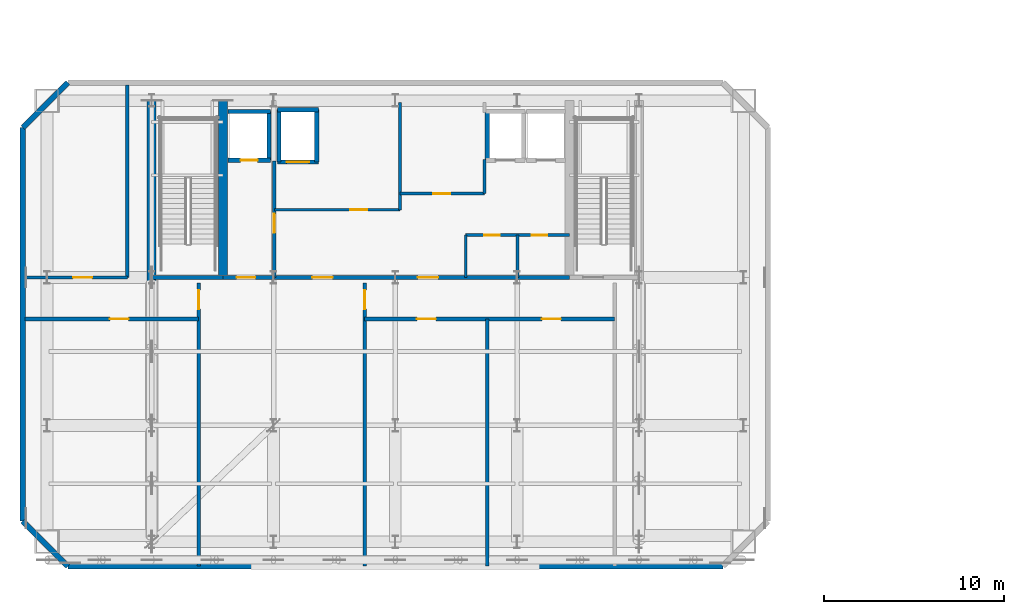
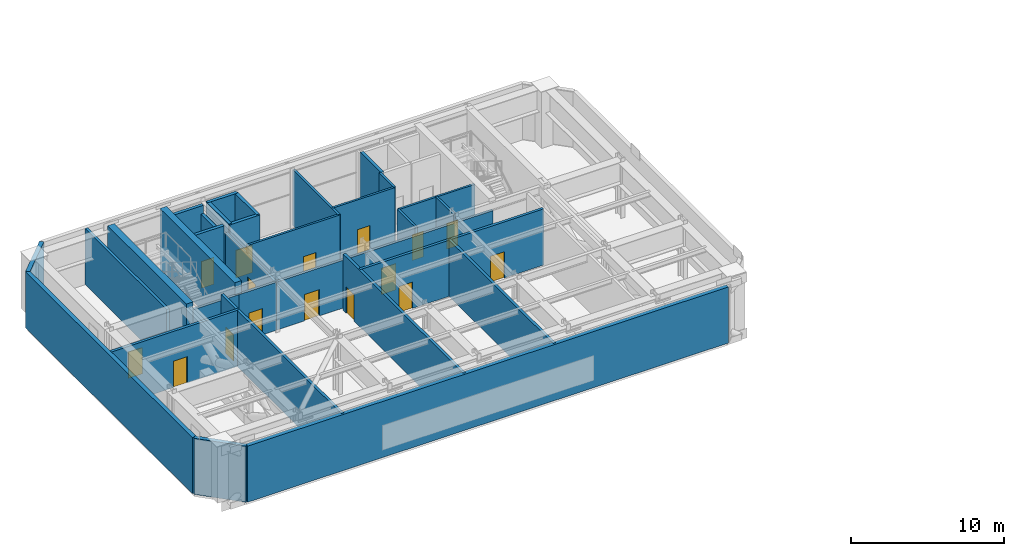
# One storey, part 8 of 15: 32 walls, 16 doors, 16 openings.
"""IFC4 building model written with IfcOpenShell, lengths in metres."""

import ifcopenshell
import ifcopenshell.guid

model = None  # the IFC model being written
_history = None  # IfcOwnerHistory: only IFC2X3 demands one
_inside = {}  # id of a spatial element -> (the spatial element, [elements in it])
_under = {}  # id of a project, library or spatial element -> (it, [spatial elements below it])
_declared = {}  # id of a project -> (the project, [libraries it declares])
_typed = {}  # id of a type object -> (the type object, [elements of that type])
_made_of = {}  # id of a material, layer set ... -> (it, [elements and type objects made of it])


def new_model(schema):
    """Start an empty IFC model of exactly this schema.

    Asked for "IFC4X3", IfcOpenShell would pick the latest addendum, in which some entities
    have other attributes; the version numbers below select the first issue.
    IFC2X3 requires an IfcOwnerHistory on every rooted entity: one is made here for all.
    """
    global model, _history
    if schema == "IFC4X3":
        model = ifcopenshell.file(schema_version=(4, 3, 0, 0))
    else:
        model = ifcopenshell.file(schema=schema)
    _inside.clear()
    _under.clear()
    _declared.clear()
    _typed.clear()
    _made_of.clear()
    _history = None
    if model.schema == "IFC2X3":
        org = make("IfcOrganization", Name="unknown")
        user = make(
            "IfcPersonAndOrganization",
            ThePerson=make("IfcPerson", FamilyName="unknown"),
            TheOrganization=org,
        )
        app = make(
            "IfcApplication",
            ApplicationDeveloper=org,
            Version="unknown",
            ApplicationFullName="unknown",
            ApplicationIdentifier="unknown",
        )
        _history = make(
            "IfcOwnerHistory",
            OwningUser=user,
            OwningApplication=app,
            ChangeAction="ADDED",
            CreationDate=0,
        )
    return model


def make(cls, **values):
    """One entity of the class cls with the attributes given. An attribute that is None is left unset."""
    return model.create_entity(
        cls, **{name: value for name, value in values.items() if value is not None}
    )


def rooted(cls, **values):
    """An entity with a GlobalId (a new one), such as an element, a storey or a relation."""
    return make(cls, GlobalId=ifcopenshell.guid.new(), OwnerHistory=_history, **values)


def si_unit(unit_type, name, prefix=None):
    """IfcSIUnit, for example si_unit("LENGTHUNIT", "METRE", prefix="MILLI")."""
    return make("IfcSIUnit", UnitType=unit_type, Prefix=prefix, Name=name)


def assignment(units):
    """IfcUnitAssignment: the units of a project."""
    return None if units is None else make("IfcUnitAssignment", Units=units)


def point(xyz):
    """IfcCartesianPoint."""
    return None if xyz is None else make("IfcCartesianPoint", Coordinates=xyz)


def direction(xyz):
    """IfcDirection."""
    return None if xyz is None else make("IfcDirection", DirectionRatios=xyz)


def frame(location, z_axis=None, x_axis=None):
    """IfcAxis2Placement3D, a coordinate frame: its origin and axes. An axis left out is left unset."""
    return make(
        "IfcAxis2Placement3D",
        Location=point(location),
        Axis=direction(z_axis),
        RefDirection=direction(x_axis),
    )


def frame_2d(location, x_axis=None):
    """IfcAxis2Placement2D, a coordinate frame in the plane: its origin and x axis."""
    return make(
        "IfcAxis2Placement2D", Location=point(location), RefDirection=direction(x_axis)
    )


def origin():
    """The frame at (0, 0, 0) with its axes left unset."""
    return frame((0.0, 0.0, 0.0))


def place(relative_to, where):
    """IfcLocalPlacement: puts the frame where relative to a parent placement (None: the world)."""
    return make(
        "IfcLocalPlacement", PlacementRelTo=relative_to, RelativePlacement=where
    )


def context(
    kind, dimensions, precision=None, world=None, true_north=None, identifier=None
):
    """IfcGeometricRepresentationContext, for example the 3D "Model" context."""
    return make(
        "IfcGeometricRepresentationContext",
        ContextIdentifier=identifier,
        ContextType=kind,
        CoordinateSpaceDimension=dimensions,
        Precision=precision,
        WorldCoordinateSystem=world,
        TrueNorth=true_north,
    )


def subcontext(parent, identifier, kind, view, scale=None):
    """IfcGeometricRepresentationSubContext, for example "Body" below "Model"."""
    return make(
        "IfcGeometricRepresentationSubContext",
        ContextIdentifier=identifier,
        ContextType=kind,
        ParentContext=parent,
        TargetScale=scale,
        TargetView=view,
    )


def project(units=None, contexts=None):
    """IfcProject with its units and contexts."""
    return rooted(
        "IfcProject",
        Name="project",
        RepresentationContexts=contexts,
        UnitsInContext=assignment(units),
    )


def spatial(cls, under=None, at=None, **own):
    """A site, building, storey or space (cls), placed at a placement, below another one or the project."""
    s = rooted(cls, ObjectPlacement=at, **own)
    if under is not None:
        _under.setdefault(under.id(), (under, []))[1].append(s)
    return s


def profile(cls, at=None, kind="AREA", **sizes):
    """A parametric profile (cls). Its sizes go by their IFC names, for example OverallWidth=200.0."""
    return make(cls, ProfileType=kind, Position=at, **sizes)


def rectangle(**sizes):
    """IfcRectangleProfileDef."""
    return profile("IfcRectangleProfileDef", **sizes)


def extrude(swept, where, along, depth):
    """IfcExtrudedAreaSolid: the profile swept, set in the frame where, extruded along a direction by depth."""
    return make(
        "IfcExtrudedAreaSolid",
        SweptArea=swept,
        Position=where,
        ExtrudedDirection=direction(along),
        Depth=depth,
    )


def shape(context_of_items, identifier, shape_type, items):
    """IfcShapeRepresentation: the items that make up one representation, for example the "Body"."""
    return make(
        "IfcShapeRepresentation",
        ContextOfItems=context_of_items,
        RepresentationIdentifier=identifier,
        RepresentationType=shape_type,
        Items=items,
    )


def material(Name=None, Category=None):
    """IfcMaterial."""
    return make("IfcMaterial", Name=Name, Category=Category)


def layer(
    of_material, thickness, ventilated=None, Name=None, Category=None, Priority=None
):
    """IfcMaterialLayer: one layer of a wall or slab, of a material (None: an air gap)."""
    return make(
        "IfcMaterialLayer",
        Material=of_material,
        LayerThickness=thickness,
        IsVentilated=ventilated,
        Name=Name,
        Category=Category,
        Priority=Priority,
    )


def layer_set(layers, Name=None):
    """IfcMaterialLayerSet."""
    return make("IfcMaterialLayerSet", MaterialLayers=layers, LayerSetName=Name)


def made_of(thing, what):
    """Note that an element or type object is made of a material, layer set ...; save() writes the relation."""
    if what is not None:
        _made_of.setdefault(what.id(), (what, []))[1].append(thing)
    return thing


def type_object(cls, material=None, **own):
    """A type object (cls), such as IfcWallType, which elements share."""
    return made_of(rooted(cls, **own), material)


def element(
    cls,
    number,
    at=None,
    inside=None,
    cuts=None,
    type_object=None,
    material=None,
    context=None,
    identifier="Body",
    shape_type=None,
    held_by="IfcProductDefinitionShape",
    body=None,
    shapes=None,
    **own,
):
    """One element of the class cls, such as IfcWall. Its Tag is "e" and its number.

    at: its placement. inside: the storey or other place that contains it. cuts: it is an
    opening in that element (IfcRelVoidsElement). A single representation is given by context,
    identifier, shape_type and body (its items); several are given by shapes. held_by: the class
    of the entity that holds the representations. save() writes the other relations.
    """
    e = rooted(cls, Tag="e%d" % number, ObjectPlacement=at, **own)
    if body is not None:
        shapes = [shape(context, identifier, shape_type, body)]
    if shapes is not None:
        e.Representation = make(held_by, Representations=shapes)
    if inside is not None:
        _inside.setdefault(inside.id(), (inside, []))[1].append(e)
    if cuts is not None:
        rooted(
            "IfcRelVoidsElement", RelatingBuildingElement=cuts, RelatedOpeningElement=e
        )
    if type_object is not None:
        _typed.setdefault(type_object.id(), (type_object, []))[1].append(e)
    return made_of(e, material)


def fill(opening, filler):
    """IfcRelFillsElement: the door or window that sits in an opening."""
    return rooted(
        "IfcRelFillsElement",
        RelatingOpeningElement=opening,
        RelatedBuildingElement=filler,
    )


def aggregate(whole, parts):
    """IfcRelAggregates: a whole, such as a stair, and the parts it consists of."""
    return rooted("IfcRelAggregates", RelatingObject=whole, RelatedObjects=parts)


def save(model, path):
    """Write the relations noted so far, then the file.

    IfcRelAggregates (storeys below a building ...), IfcRelContainedInSpatialStructure (elements
    in a storey), IfcRelDefinesByType, IfcRelAssociatesMaterial and IfcRelDeclares: one each for
    every whole, place, type object, material and project.
    """
    for whole, parts in _under.values():
        aggregate(whole, parts)
    for where, things in _inside.values():
        rooted(
            "IfcRelContainedInSpatialStructure",
            RelatedElements=things,
            RelatingStructure=where,
        )
    for kind, things in _typed.values():
        rooted("IfcRelDefinesByType", RelatedObjects=things, RelatingType=kind)
    for what, things in _made_of.values():
        rooted("IfcRelAssociatesMaterial", RelatedObjects=things, RelatingMaterial=what)
    for by, libraries in _declared.values():
        rooted("IfcRelDeclares", RelatingContext=by, RelatedDefinitions=libraries)
    model.write(path)


model = new_model("IFC4")

# Units and contexts
model_context = context("Model", 3, precision=1e-05, world=origin(), true_north=direction((0.0, 1.0)))
body_context = subcontext(model_context, "Body", "Model", "MODEL_VIEW")
ifc_project = project(units=[si_unit("LENGTHUNIT", "METRE"), si_unit("AREAUNIT", "SQUARE_METRE"), si_unit("VOLUMEUNIT", "CUBIC_METRE"), si_unit("PLANEANGLEUNIT", "RADIAN"), si_unit("MASSUNIT", "GRAM", prefix="KILO")], contexts=[model_context])

# Site, building, storey
site_placement = place(None, origin())
site = spatial("IfcSite", under=ifc_project, at=site_placement, CompositionType="ELEMENT")
building_placement = place(site_placement, origin())
building = spatial("IfcBuilding", under=site, at=building_placement, Name="Haevon Station Towers", CompositionType="ELEMENT")
storey_placement = place(building_placement, frame((0.0, 0.0, 192.300048828125)))
storey = spatial("IfcBuildingStorey", under=building, at=storey_placement, Name="L53", CompositionType="ELEMENT", Elevation=192.300048828125)

# Wall
ifc_material_1 = material(Name="Gypsum board on steel stud", Category="steel")
ifc_layer_1 = layer(ifc_material_1, 0.199951171875)
ifc_layer_set_1 = layer_set([ifc_layer_1], Name="Gypsum board on steel stud")
wall_type_1 = type_object("IfcWallType", Name="WL-COR200", PredefinedType="PARTITIONING", material=ifc_layer_set_1)
wall_1_placement = place(storey_placement, frame((24.0, 38.199951171875, 0.0), z_axis=(0.0, 0.0, 1.0), x_axis=(1.0, 0.0, 0.0)))
element("IfcWall", 1, at=wall_1_placement, inside=storey, type_object=wall_type_1, Name="WL-ST-ST1-L53", PredefinedType="PARTITIONING", context=body_context, shape_type="SweptSolid", body=[
    extrude(rectangle(XDim=3.949951171875, YDim=0.199951171875, at=frame_2d((1.97509765625, 0.0))), origin(), (0.0, 0.0, 1.0), 3.829833984375),
])

# Wall, opening, door
wall_2_placement = place(storey_placement, frame((30.800048828125, 38.199951171875, 0.0), z_axis=(0.0, 0.0, 1.0), x_axis=(0.0, 1.0, 0.0)))
wall_2 = element("IfcWall", 2, at=wall_2_placement, inside=storey, type_object=wall_type_1, Name="WL-T1FFL-L53-E", PredefinedType="PARTITIONING", context=body_context, shape_type="SweptSolid", body=[
    extrude(rectangle(XDim=6.449951171875, YDim=0.199951171875, at=frame_2d((3.22509765625, 0.0))), origin(), (0.0, 0.0, 1.0), 3.829833984375),
])
opening_1_placement = place(wall_2_placement, frame((2.469970703125, 0.0, 0.0)))
opening_1 = element("IfcOpeningElement", 3, at=opening_1_placement, cuts=wall_2, Name="Opening DR-T1FFL-L53-E", PredefinedType="OPENING", context=body_context, shape_type="SweptSolid", body=[
    extrude(rectangle(XDim=1.050048828125, YDim=2.10009765625, at=frame_2d((0.52490234375, 1.050048828125))), frame((0.0, 0.10986328125, 0.0), z_axis=(0.0, -1.0, 0.0), x_axis=(1.0, 0.0, 0.0)), (0.0, 0.0, 1.0), 0.219970703125),
])
ifc_material_2 = material(Name="Engineered oak timber", Category="wood")
door_type_1 = type_object("IfcDoorType", Name="DR-FD60-1050", OperationType="NOTDEFINED", PredefinedType="DOOR", material=ifc_material_2)
door_1_placement = place(opening_1_placement, origin())
door_1 = element("IfcDoor", 4, at=door_1_placement, inside=storey, type_object=door_type_1, Name="L53 Tower 1 Firefighting Lift Lobby Door E", OperationType="SINGLE_SWING_RIGHT", OverallHeight=2.10009765625, OverallWidth=1.050048828125, PredefinedType="DOOR", context=body_context, shape_type="SweptSolid", body=[
    extrude(rectangle(XDim=1.050048828125, YDim=2.10009765625, at=frame_2d((0.52490234375, 1.050048828125))), frame((0.0, 0.02490234375, 0.0), z_axis=(0.0, -1.0, 0.0), x_axis=(1.0, 0.0, 0.0)), (0.0, 0.0, 1.0), 0.050048828125),
])
fill(opening_1, door_1)

wall_3_placement = place(storey_placement, frame((27.949951171875, 38.199951171875, 0.0), z_axis=(0.0, 0.0, 1.0), x_axis=(1.0, 0.0, 0.0)))
wall_3 = element("IfcWall", 5, at=wall_3_placement, inside=storey, type_object=wall_type_1, Name="WL-T1FFL-L53-S", PredefinedType="PARTITIONING", context=body_context, shape_type="SweptSolid", body=[
    extrude(rectangle(XDim=2.85009765625, YDim=0.199951171875, at=frame_2d((1.425048828125, 0.0))), origin(), (0.0, 0.0, 1.0), 3.829833984375),
])
opening_2_placement = place(wall_3_placement, frame((0.75, 0.0, 0.0)))
opening_2 = element("IfcOpeningElement", 6, at=opening_2_placement, cuts=wall_3, Name="Opening DR-T1FFL-L53-S", PredefinedType="OPENING", context=body_context, shape_type="SweptSolid", body=[
    extrude(rectangle(XDim=1.050048828125, YDim=2.10009765625, at=frame_2d((0.52490234375, 1.050048828125))), frame((0.0, 0.10986328125, 0.0), z_axis=(0.0, -1.0, 0.0), x_axis=(1.0, 0.0, 0.0)), (0.0, 0.0, 1.0), 0.219970703125),
])
door_2_placement = place(opening_2_placement, origin())
door_2 = element("IfcDoor", 7, at=door_2_placement, inside=storey, type_object=door_type_1, Name="L53 Tower 1 Firefighting Lift Lobby Door S", OperationType="SINGLE_SWING_LEFT", OverallHeight=2.10009765625, OverallWidth=1.050048828125, PredefinedType="DOOR", context=body_context, shape_type="SweptSolid", body=[
    extrude(rectangle(XDim=1.050048828125, YDim=2.10009765625, at=frame_2d((0.52490234375, 1.050048828125))), frame((0.0, 0.02490234375, 0.0), z_axis=(0.0, -1.0, 0.0), x_axis=(1.0, 0.0, 0.0)), (0.0, 0.0, 1.0), 0.050048828125),
])
fill(opening_2, door_2)

# Wall, openings, doors
wall_4_placement = place(storey_placement, frame((30.800048828125, 38.199951171875, 0.0), z_axis=(0.0, 0.0, 1.0), x_axis=(1.0, 0.0, 0.0)))
wall_4 = element("IfcWall", 8, at=wall_4_placement, inside=storey, type_object=wall_type_1, Name="WL-T1CLB-L53", PredefinedType="PARTITIONING", context=body_context, shape_type="SweptSolid", body=[
    extrude(rectangle(XDim=16.349853515625, YDim=0.199951171875, at=frame_2d((8.1748046875, 0.0))), origin(), (0.0, 0.0, 1.0), 3.829833984375),
])
opening_3_placement = place(wall_4_placement, frame((2.10009765625, 0.0, 0.0)))
opening_3 = element("IfcOpeningElement", 9, at=opening_3_placement, cuts=wall_4, Name="Opening DR-T1CLB-L53-1", PredefinedType="OPENING", context=body_context, shape_type="SweptSolid", body=[
    extrude(rectangle(XDim=1.1201171875, YDim=2.10009765625, at=frame_2d((0.56005859375, 1.050048828125))), frame((0.0, 0.10986328125, 0.0), z_axis=(0.0, -1.0, 0.0), x_axis=(1.0, 0.0, 0.0)), (0.0, 0.0, 1.0), 0.219970703125),
])
opening_4_placement = place(wall_4_placement, frame((7.949951171875, 0.0, 0.0)))
opening_4 = element("IfcOpeningElement", 10, at=opening_4_placement, cuts=wall_4, Name="Opening DR-T1CLB-L53-2", PredefinedType="OPENING", context=body_context, shape_type="SweptSolid", body=[
    extrude(rectangle(XDim=1.1201171875, YDim=2.10009765625, at=frame_2d((0.56005859375, 1.050048828125))), frame((0.0, 0.10986328125, 0.0), z_axis=(0.0, -1.0, 0.0), x_axis=(1.0, 0.0, 0.0)), (0.0, 0.0, 1.0), 0.219970703125),
])
door_type_2 = type_object("IfcDoorType", Name="DR-ST-1120", OperationType="NOTDEFINED", PredefinedType="DOOR", material=ifc_material_2)
door_3_placement = place(opening_3_placement, origin())
door_3 = element("IfcDoor", 11, at=door_3_placement, inside=storey, type_object=door_type_2, Name="L53 Tower 1 Core Lift Lobby Door 1", OperationType="SINGLE_SWING_RIGHT", OverallHeight=2.10009765625, OverallWidth=1.1201171875, PredefinedType="DOOR", context=body_context, shape_type="SweptSolid", body=[
    extrude(rectangle(XDim=1.1201171875, YDim=2.10009765625, at=frame_2d((0.56005859375, 1.050048828125))), frame((0.0, 0.02490234375, 0.0), z_axis=(0.0, -1.0, 0.0), x_axis=(1.0, 0.0, 0.0)), (0.0, 0.0, 1.0), 0.050048828125),
])
fill(opening_3, door_3)
door_4_placement = place(opening_4_placement, origin())
door_4 = element("IfcDoor", 12, at=door_4_placement, inside=storey, type_object=door_type_2, Name="L53 Tower 1 Core Lift Lobby Door 2", OperationType="SINGLE_SWING_LEFT", OverallHeight=2.10009765625, OverallWidth=1.1201171875, PredefinedType="DOOR", context=body_context, shape_type="SweptSolid", body=[
    extrude(rectangle(XDim=1.1201171875, YDim=2.10009765625, at=frame_2d((0.56005859375, 1.050048828125))), frame((0.0, 0.02490234375, 0.0), z_axis=(0.0, -1.0, 0.0), x_axis=(1.0, 0.0, 0.0)), (0.0, 0.0, 1.0), 0.050048828125),
])
fill(opening_4, door_4)

# Wall
wall_5_placement = place(storey_placement, frame((22.64990234375, 38.199951171875, 0.0), z_axis=(0.0, 0.0, 1.0), x_axis=(0.0, 1.0, 0.0)))
element("IfcWall", 13, at=wall_5_placement, inside=storey, type_object=wall_type_1, Name="WL-T1PT-L53-02", PredefinedType="PARTITIONING", context=body_context, shape_type="SweptSolid", body=[
    extrude(rectangle(XDim=10.66015625, YDim=0.199951171875, at=frame_2d((5.330078125, 0.0))), origin(), (0.0, 0.0, 1.0), 4.47998046875),
])

# Wall, opening, door
wall_6_placement = place(storey_placement, frame((16.989990234375, 35.89990234375, 0.0), z_axis=(0.0, 0.0, 1.0), x_axis=(1.0, 0.0, 0.0)))
wall_6 = element("IfcWall", 14, at=wall_6_placement, inside=storey, type_object=wall_type_1, Name="WL-T1PT-L53-03", PredefinedType="PARTITIONING", context=body_context, shape_type="SweptSolid", body=[
    extrude(rectangle(XDim=9.610107421875, YDim=0.199951171875, at=frame_2d((4.80517578125, 0.0))), origin(), (0.0, 0.0, 1.0), 4.47998046875),
])
opening_5_placement = place(wall_6_placement, frame((4.68505859375, 0.0, 0.0)))
opening_5 = element("IfcOpeningElement", 15, at=opening_5_placement, cuts=wall_6, Name="Opening DR-WL-T1PT-L53-03-01", PredefinedType="OPENING", context=body_context, shape_type="SweptSolid", body=[
    extrude(rectangle(XDim=1.050048828125, YDim=2.10009765625, at=frame_2d((0.52490234375, 1.050048828125))), frame((0.0, 0.10986328125, 0.0), z_axis=(0.0, -1.0, 0.0), x_axis=(1.0, 0.0, 0.0)), (0.0, 0.0, 1.0), 0.219970703125),
])
door_5_placement = place(opening_5_placement, origin())
door_5 = element("IfcDoor", 16, at=door_5_placement, inside=storey, type_object=door_type_1, Name="L53 Tower 1 Room Door 3-1", OperationType="SINGLE_SWING_RIGHT", OverallHeight=2.10009765625, OverallWidth=1.050048828125, PredefinedType="DOOR", context=body_context, shape_type="SweptSolid", body=[
    extrude(rectangle(XDim=1.050048828125, YDim=2.10009765625, at=frame_2d((0.52490234375, 1.050048828125))), frame((0.0, 0.02490234375, 0.0), z_axis=(0.0, -1.0, 0.0), x_axis=(1.0, 0.0, 0.0)), (0.0, 0.0, 1.0), 0.050048828125),
])
fill(opening_5, door_5)

wall_7_placement = place(storey_placement, frame((26.60009765625, 22.199951171875, 0.0), z_axis=(0.0, 0.0, 1.0), x_axis=(0.0, 1.0, 0.0)))
wall_7 = element("IfcWall", 17, at=wall_7_placement, inside=storey, type_object=wall_type_1, Name="WL-T1PT-L53-04", PredefinedType="PARTITIONING", context=body_context, shape_type="SweptSolid", body=[
    extrude(rectangle(XDim=15.699951171875, YDim=0.199951171875, at=frame_2d((7.85009765625, 0.0))), origin(), (0.0, 0.0, 1.0), 4.47998046875),
])
opening_6_placement = place(wall_7_placement, frame((14.25, 0.0, 0.0)))
opening_6 = element("IfcOpeningElement", 18, at=opening_6_placement, cuts=wall_7, Name="Opening DR-WL-T1PT-L53-04-01", PredefinedType="OPENING", context=body_context, shape_type="SweptSolid", body=[
    extrude(rectangle(XDim=1.050048828125, YDim=2.10009765625, at=frame_2d((0.52490234375, 1.050048828125))), frame((0.0, 0.10986328125, 0.0), z_axis=(0.0, -1.0, 0.0), x_axis=(1.0, 0.0, 0.0)), (0.0, 0.0, 1.0), 0.219970703125),
])
door_6_placement = place(opening_6_placement, origin())
door_6 = element("IfcDoor", 19, at=door_6_placement, inside=storey, type_object=door_type_1, Name="L53 Tower 1 Room Door 4-1", OperationType="SINGLE_SWING_LEFT", OverallHeight=2.10009765625, OverallWidth=1.050048828125, PredefinedType="DOOR", context=body_context, shape_type="SweptSolid", body=[
    extrude(rectangle(XDim=1.050048828125, YDim=2.10009765625, at=frame_2d((0.52490234375, 1.050048828125))), frame((0.0, 0.02490234375, 0.0), z_axis=(0.0, -1.0, 0.0), x_axis=(1.0, 0.0, 0.0)), (0.0, 0.0, 1.0), 0.050048828125),
])
fill(opening_6, door_6)

wall_8_placement = place(storey_placement, frame((35.800048828125, 22.199951171875, 0.0), z_axis=(0.0, 0.0, 1.0), x_axis=(0.0, 1.0, 0.0)))
wall_8 = element("IfcWall", 20, at=wall_8_placement, inside=storey, type_object=wall_type_1, Name="WL-T1PT-L53-05", PredefinedType="PARTITIONING", context=body_context, shape_type="SweptSolid", body=[
    extrude(rectangle(XDim=15.699951171875, YDim=0.199951171875, at=frame_2d((7.85009765625, 0.0))), origin(), (0.0, 0.0, 1.0), 4.47998046875),
])
opening_7_placement = place(wall_8_placement, frame((14.25, 0.0, 0.0)))
opening_7 = element("IfcOpeningElement", 21, at=opening_7_placement, cuts=wall_8, Name="Opening DR-WL-T1PT-L53-05-01", PredefinedType="OPENING", context=body_context, shape_type="SweptSolid", body=[
    extrude(rectangle(XDim=1.050048828125, YDim=2.10009765625, at=frame_2d((0.52490234375, 1.050048828125))), frame((0.0, 0.10986328125, 0.0), z_axis=(0.0, -1.0, 0.0), x_axis=(1.0, 0.0, 0.0)), (0.0, 0.0, 1.0), 0.219970703125),
])
door_7_placement = place(opening_7_placement, origin())
door_7 = element("IfcDoor", 22, at=door_7_placement, inside=storey, type_object=door_type_1, Name="L53 Tower 1 Room Door 5-1", OperationType="SINGLE_SWING_RIGHT", OverallHeight=2.10009765625, OverallWidth=1.050048828125, PredefinedType="DOOR", context=body_context, shape_type="SweptSolid", body=[
    extrude(rectangle(XDim=1.050048828125, YDim=2.10009765625, at=frame_2d((0.52490234375, 1.050048828125))), frame((0.0, 0.02490234375, 0.0), z_axis=(0.0, -1.0, 0.0), x_axis=(1.0, 0.0, 0.0)), (0.0, 0.0, 1.0), 0.050048828125),
])
fill(opening_7, door_7)

# Wall
wall_9_placement = place(storey_placement, frame((42.60009765625, 22.199951171875, 0.0), z_axis=(0.0, 0.0, 1.0), x_axis=(0.0, 1.0, 0.0)))
element("IfcWall", 23, at=wall_9_placement, inside=storey, type_object=wall_type_1, Name="WL-T1PT-L53-06", PredefinedType="PARTITIONING", context=body_context, shape_type="SweptSolid", body=[
    extrude(rectangle(XDim=13.699951171875, YDim=0.199951171875, at=frame_2d((6.85009765625, 0.0))), origin(), (0.0, 0.0, 1.0), 4.47998046875),
])

# Wall, openings, doors
wall_10_placement = place(storey_placement, frame((35.800048828125, 35.89990234375, 0.0), z_axis=(0.0, 0.0, 1.0), x_axis=(1.0, 0.0, 0.0)))
wall_10 = element("IfcWall", 24, at=wall_10_placement, inside=storey, type_object=wall_type_1, Name="WL-T1PT-L53-07", PredefinedType="PARTITIONING", context=body_context, shape_type="SweptSolid", body=[
    extrude(rectangle(XDim=13.849853515625, YDim=0.199951171875, at=frame_2d((6.9248046875, 0.0))), origin(), (0.0, 0.0, 1.0), 4.47998046875),
])
opening_8_placement = place(wall_10_placement, frame((2.89990234375, 0.0, 0.0)))
opening_8 = element("IfcOpeningElement", 25, at=opening_8_placement, cuts=wall_10, Name="Opening DR-WL-T1PT-L53-07-01", PredefinedType="OPENING", context=body_context, shape_type="SweptSolid", body=[
    extrude(rectangle(XDim=1.050048828125, YDim=2.10009765625, at=frame_2d((0.52490234375, 1.050048828125))), frame((0.0, 0.10986328125, 0.0), z_axis=(0.0, -1.0, 0.0), x_axis=(1.0, 0.0, 0.0)), (0.0, 0.0, 1.0), 0.219970703125),
])
opening_9_placement = place(wall_10_placement, frame((9.824951171875, 0.0, 0.0)))
opening_9 = element("IfcOpeningElement", 26, at=opening_9_placement, cuts=wall_10, Name="Opening DR-WL-T1PT-L53-07-02", PredefinedType="OPENING", context=body_context, shape_type="SweptSolid", body=[
    extrude(rectangle(XDim=1.050048828125, YDim=2.10009765625, at=frame_2d((0.52490234375, 1.050048828125))), frame((0.0, 0.10986328125, 0.0), z_axis=(0.0, -1.0, 0.0), x_axis=(1.0, 0.0, 0.0)), (0.0, 0.0, 1.0), 0.219970703125),
])
door_8_placement = place(opening_8_placement, origin())
door_8 = element("IfcDoor", 27, at=door_8_placement, inside=storey, type_object=door_type_1, Name="L53 Tower 1 Room Door 7-1", OperationType="SINGLE_SWING_LEFT", OverallHeight=2.10009765625, OverallWidth=1.050048828125, PredefinedType="DOOR", context=body_context, shape_type="SweptSolid", body=[
    extrude(rectangle(XDim=1.050048828125, YDim=2.10009765625, at=frame_2d((0.52490234375, 1.050048828125))), frame((0.0, 0.02490234375, 0.0), z_axis=(0.0, -1.0, 0.0), x_axis=(1.0, 0.0, 0.0)), (0.0, 0.0, 1.0), 0.050048828125),
])
fill(opening_8, door_8)
door_9_placement = place(opening_9_placement, origin())
door_9 = element("IfcDoor", 28, at=door_9_placement, inside=storey, type_object=door_type_1, Name="L53 Tower 1 Room Door 7-2", OperationType="SINGLE_SWING_RIGHT", OverallHeight=2.10009765625, OverallWidth=1.050048828125, PredefinedType="DOOR", context=body_context, shape_type="SweptSolid", body=[
    extrude(rectangle(XDim=1.050048828125, YDim=2.10009765625, at=frame_2d((0.52490234375, 1.050048828125))), frame((0.0, 0.02490234375, 0.0), z_axis=(0.0, -1.0, 0.0), x_axis=(1.0, 0.0, 0.0)), (0.0, 0.0, 1.0), 0.050048828125),
])
fill(opening_9, door_9)

# Walls
ifc_material_3 = material(Name="Concrete C60/75", Category="concrete")
ifc_layer_2 = layer(ifc_material_3, 0.5)
ifc_layer_set_2 = layer_set([ifc_layer_2], Name="Concrete C60/75")
wall_type_2 = type_object("IfcWallType", Name="WL-CR500", PredefinedType="SHEAR", material=ifc_layer_set_2)
wall_11_placement = place(storey_placement, frame((24.0, 37.679931640625, 0.0), z_axis=(0.0, 0.0, 1.0), x_axis=(0.0, 1.0, 0.0)))
element("IfcWall", 29, at=wall_11_placement, inside=storey, type_object=wall_type_2, Name="WL-T1CR-L53-W", PredefinedType="SHEAR", context=body_context, shape_type="SweptSolid", body=[
    extrude(rectangle(XDim=10.320068359375, YDim=0.5, at=frame_2d((5.16015625, 0.0))), origin(), (0.0, 0.0, 1.0), 4.800048828125),
])
wall_12_placement = place(storey_placement, frame((27.949951171875, 38.199951171875, 0.0), z_axis=(0.0, 0.0, 1.0), x_axis=(0.0, 1.0, 0.0)))
element("IfcWall", 30, at=wall_12_placement, inside=storey, type_object=wall_type_2, Name="WL-T1CR-L53-M1", PredefinedType="SHEAR", context=body_context, shape_type="SweptSolid", body=[
    extrude(rectangle(XDim=9.800048828125, YDim=0.5, at=frame_2d((4.89990234375, 0.0))), origin(), (0.0, 0.0, 1.0), 4.800048828125),
])
ifc_material_4 = material(Name="Precast concrete C45/55", Category="concrete")
ifc_layer_3 = layer(ifc_material_4, 0.300048828125)
ifc_layer_set_3 = layer_set([ifc_layer_3], Name="Precast concrete C45/55")
wall_type_3 = type_object("IfcWallType", Name="WL-EXT-PIER300", PredefinedType="SOLIDWALL", material=ifc_layer_set_3)
wall_13_placement = place(storey_placement, frame((55.64990234375, 22.199951171875, 0.0), z_axis=(0.0, 0.0, 1.0), x_axis=(-1.0, 0.0, 0.0)))
element("IfcWall", 31, at=wall_13_placement, inside=storey, type_object=wall_type_3, Name="WL-T1-L53-S", PredefinedType="SOLIDWALL", context=body_context, shape_type="SweptSolid", body=[
    extrude(rectangle(XDim=36.2998046875, YDim=0.300048828125, at=frame_2d((18.14990234375, 0.0))), origin(), (0.0, 0.0, 1.0), 4.47998046875),
])
wall_14_placement = place(storey_placement, frame((19.35009765625, 22.199951171875, 0.0), z_axis=(0.0, 0.0, 1.0), x_axis=(-0.707106781187, 0.707106781187, 0.0)))
element("IfcWall", 32, at=wall_14_placement, inside=storey, type_object=wall_type_3, Name="WL-T1-L53-SWC", PredefinedType="SOLIDWALL", context=body_context, shape_type="SweptSolid", body=[
    extrude(rectangle(XDim=3.53564453125, YDim=0.300048828125, at=frame_2d((1.767822265625, 0.0))), origin(), (0.0, 0.0, 1.0), 4.47998046875),
])
wall_15_placement = place(storey_placement, frame((16.85009765625, 24.699951171875, 0.0), z_axis=(0.0, 0.0, 1.0), x_axis=(0.0, 1.0, 0.0)))
element("IfcWall", 33, at=wall_15_placement, inside=storey, type_object=wall_type_3, Name="WL-T1-L53-W", PredefinedType="SOLIDWALL", context=body_context, shape_type="SweptSolid", body=[
    extrude(rectangle(XDim=21.800048828125, YDim=0.300048828125, at=frame_2d((10.89990234375, 0.0))), origin(), (0.0, 0.0, 1.0), 4.47998046875),
])
wall_16_placement = place(storey_placement, frame((16.85009765625, 46.5, 0.0), z_axis=(0.0, 0.0, 1.0), x_axis=(0.707106781187, 0.707106781187, 0.0)))
element("IfcWall", 34, at=wall_16_placement, inside=storey, type_object=wall_type_3, Name="WL-T1-L53-NWC", PredefinedType="SOLIDWALL", context=body_context, shape_type="SweptSolid", body=[
    extrude(rectangle(XDim=3.53564453125, YDim=0.300048828125, at=frame_2d((1.767822265625, 0.0))), origin(), (0.0, 0.0, 1.0), 4.47998046875),
])

# Wall, opening, door
ifc_layer_4 = layer(ifc_material_1, 0.159912109375)
ifc_layer_set_4 = layer_set([ifc_layer_4], Name="Gypsum board on steel stud")
wall_type_4 = type_object("IfcWallType", Name="WL-PRT160", PredefinedType="PARTITIONING", material=ifc_layer_set_4)
wall_17_placement = place(storey_placement, frame((30.800048828125, 41.949951171875, 0.0), z_axis=(0.0, 0.0, 1.0), x_axis=(1.0, 0.0, 0.0)))
wall_17 = element("IfcWall", 35, at=wall_17_placement, inside=storey, type_object=wall_type_4, Name="WL-T1CW-L53-01", PredefinedType="PARTITIONING", context=body_context, shape_type="SweptSolid", body=[
    extrude(rectangle(XDim=6.949951171875, YDim=0.159912109375, at=frame_2d((3.47509765625, 0.0))), origin(), (0.0, 0.0, 1.0), 4.47998046875),
])
opening_10_placement = place(wall_17_placement, frame((4.199951171875, 0.0, 0.0)))
opening_10 = element("IfcOpeningElement", 36, at=opening_10_placement, cuts=wall_17, Name="Opening DR-WL-T1CW-L53-01-1", PredefinedType="OPENING", context=body_context, shape_type="SweptSolid", body=[
    extrude(rectangle(XDim=0.949951171875, YDim=2.10009765625, at=frame_2d((0.47509765625, 1.050048828125))), frame((0.0, 0.08984375, 0.0), z_axis=(0.0, -1.0, 0.0), x_axis=(1.0, 0.0, 0.0)), (0.0, 0.0, 1.0), 0.179931640625),
])
door_type_3 = type_object("IfcDoorType", Name="DR-FD60-950", OperationType="NOTDEFINED", PredefinedType="DOOR", material=ifc_material_2)
door_10_placement = place(opening_10_placement, origin())
door_10 = element("IfcDoor", 37, at=door_10_placement, inside=storey, type_object=door_type_3, Name="L53 Tower 1 Core Room Door 1-1", OperationType="SINGLE_SWING_LEFT", OverallHeight=2.10009765625, OverallWidth=0.949951171875, PredefinedType="DOOR", context=body_context, shape_type="SweptSolid", body=[
    extrude(rectangle(XDim=0.949951171875, YDim=2.10009765625, at=frame_2d((0.47509765625, 1.050048828125))), frame((0.0, 0.02490234375, 0.0), z_axis=(0.0, -1.0, 0.0), x_axis=(1.0, 0.0, 0.0)), (0.0, 0.0, 1.0), 0.050048828125),
])
fill(opening_10, door_10)

# Wall
wall_18_placement = place(storey_placement, frame((37.75, 41.949951171875, 0.0), z_axis=(0.0, 0.0, 1.0), x_axis=(0.0, 1.0, 0.0)))
element("IfcWall", 38, at=wall_18_placement, inside=storey, type_object=wall_type_4, Name="WL-T1CW-L53-02", PredefinedType="PARTITIONING", context=body_context, shape_type="SweptSolid", body=[
    extrude(rectangle(XDim=5.949951171875, YDim=0.159912109375, at=frame_2d((2.97509765625, 0.0))), origin(), (0.0, 0.0, 1.0), 4.47998046875),
])

# Wall, opening, door
wall_19_placement = place(storey_placement, frame((37.75, 42.85009765625, 0.0), z_axis=(0.0, 0.0, 1.0), x_axis=(1.0, 0.0, 0.0)))
wall_19 = element("IfcWall", 39, at=wall_19_placement, inside=storey, type_object=wall_type_4, Name="WL-T1CW-L53-03", PredefinedType="PARTITIONING", context=body_context, shape_type="SweptSolid", body=[
    extrude(rectangle(XDim=4.699951171875, YDim=0.159912109375, at=frame_2d((2.35009765625, 0.0))), origin(), (0.0, 0.0, 1.0), 4.47998046875),
])
opening_11_placement = place(wall_19_placement, frame((1.85009765625, 0.0, 0.0)))
opening_11 = element("IfcOpeningElement", 40, at=opening_11_placement, cuts=wall_19, Name="Opening DR-WL-T1CW-L53-03-1", PredefinedType="OPENING", context=body_context, shape_type="SweptSolid", body=[
    extrude(rectangle(XDim=0.949951171875, YDim=2.10009765625, at=frame_2d((0.47509765625, 1.050048828125))), frame((0.0, 0.08984375, 0.0), z_axis=(0.0, -1.0, 0.0), x_axis=(1.0, 0.0, 0.0)), (0.0, 0.0, 1.0), 0.179931640625),
])
door_11_placement = place(opening_11_placement, origin())
door_11 = element("IfcDoor", 41, at=door_11_placement, inside=storey, type_object=door_type_3, Name="L53 Tower 1 Core Room Door 3-1", OperationType="SINGLE_SWING_RIGHT", OverallHeight=2.10009765625, OverallWidth=0.949951171875, PredefinedType="DOOR", context=body_context, shape_type="SweptSolid", body=[
    extrude(rectangle(XDim=0.949951171875, YDim=2.10009765625, at=frame_2d((0.47509765625, 1.050048828125))), frame((0.0, 0.02490234375, 0.0), z_axis=(0.0, -1.0, 0.0), x_axis=(1.0, 0.0, 0.0)), (0.0, 0.0, 1.0), 0.050048828125),
])
fill(opening_11, door_11)

# Walls
wall_20_placement = place(storey_placement, frame((42.449951171875, 42.85009765625, 0.0), z_axis=(0.0, 0.0, 1.0), x_axis=(0.0, 1.0, 0.0)))
element("IfcWall", 42, at=wall_20_placement, inside=storey, type_object=wall_type_4, Name="WL-T1CW-L53-04", PredefinedType="PARTITIONING", context=body_context, shape_type="SweptSolid", body=[
    extrude(rectangle(XDim=1.89990234375, YDim=0.159912109375, at=frame_2d((0.949951171875, 0.0))), origin(), (0.0, 0.0, 1.0), 4.47998046875),
])
for number, where, z_axis, x_axis, name in (
    (43, (41.39990234375, 38.199951171875, 0.0), (0.0, 0.0, 1.0), (0.0, 1.0, 0.0), "WL-T1CW-L53-06"),
    (44, (44.280029296875, 38.199951171875, 0.0), (0.0, 0.0, 1.0), (0.0, 1.0, 0.0), "WL-T1CW-L53-07"),
):
    element("IfcWall", number, at=place(storey_placement, frame(where, z_axis=z_axis, x_axis=x_axis)), inside=storey, type_object=wall_type_4, Name=name, PredefinedType="PARTITIONING", context=body_context, shape_type="SweptSolid", body=[
        extrude(rectangle(XDim=2.35009765625, YDim=0.159912109375, at=frame_2d((1.175048828125, 0.0))), origin(), (0.0, 0.0, 1.0), 4.47998046875),
    ])

# Wall, openings, doors
wall_21_placement = place(storey_placement, frame((41.39990234375, 40.550048828125, 0.0), z_axis=(0.0, 0.0, 1.0), x_axis=(1.0, 0.0, 0.0)))
wall_21 = element("IfcWall", 45, at=wall_21_placement, inside=storey, type_object=wall_type_4, Name="WL-T1CW-L53-08", PredefinedType="PARTITIONING", context=body_context, shape_type="SweptSolid", body=[
    extrude(rectangle(XDim=5.75, YDim=0.159912109375, at=frame_2d((2.875, 0.0))), origin(), (0.0, 0.0, 1.0), 4.47998046875),
])
opening_12_placement = place(wall_21_placement, frame((1.034912109375, 0.0, 0.0)))
opening_12 = element("IfcOpeningElement", 46, at=opening_12_placement, cuts=wall_21, Name="Opening DR-WL-T1CW-L53-08-1", PredefinedType="OPENING", context=body_context, shape_type="SweptSolid", body=[
    extrude(rectangle(XDim=0.85009765625, YDim=2.050048828125, at=frame_2d((0.425048828125, 1.02490234375))), frame((0.0, 0.08984375, 0.0), z_axis=(0.0, -1.0, 0.0), x_axis=(1.0, 0.0, 0.0)), (0.0, 0.0, 1.0), 0.179931640625),
])
opening_13_placement = place(wall_21_placement, frame((3.655029296875, 0.0, 0.0)))
opening_13 = element("IfcOpeningElement", 47, at=opening_13_placement, cuts=wall_21, Name="Opening DR-WL-T1CW-L53-08-2", PredefinedType="OPENING", context=body_context, shape_type="SweptSolid", body=[
    extrude(rectangle(XDim=0.85009765625, YDim=2.050048828125, at=frame_2d((0.425048828125, 1.02490234375))), frame((0.0, 0.08984375, 0.0), z_axis=(0.0, -1.0, 0.0), x_axis=(1.0, 0.0, 0.0)), (0.0, 0.0, 1.0), 0.179931640625),
])
door_type_4 = type_object("IfcDoorType", Name="DR-FD30-850", OperationType="NOTDEFINED", PredefinedType="DOOR", material=ifc_material_2)
door_12_placement = place(opening_12_placement, origin())
door_12 = element("IfcDoor", 48, at=door_12_placement, inside=storey, type_object=door_type_4, Name="L53 Tower 1 Core Room Door 8-1", OperationType="SINGLE_SWING_LEFT", OverallHeight=2.050048828125, OverallWidth=0.85009765625, PredefinedType="DOOR", context=body_context, shape_type="SweptSolid", body=[
    extrude(rectangle(XDim=0.85009765625, YDim=2.050048828125, at=frame_2d((0.425048828125, 1.02490234375))), frame((0.0, 0.02490234375, 0.0), z_axis=(0.0, -1.0, 0.0), x_axis=(1.0, 0.0, 0.0)), (0.0, 0.0, 1.0), 0.050048828125),
])
fill(opening_12, door_12)
door_13_placement = place(opening_13_placement, origin())
door_13 = element("IfcDoor", 49, at=door_13_placement, inside=storey, type_object=door_type_4, Name="L53 Tower 1 Core Room Door 8-2", OperationType="SINGLE_SWING_RIGHT", OverallHeight=2.050048828125, OverallWidth=0.85009765625, PredefinedType="DOOR", context=body_context, shape_type="SweptSolid", body=[
    extrude(rectangle(XDim=0.85009765625, YDim=2.050048828125, at=frame_2d((0.425048828125, 1.02490234375))), frame((0.0, 0.02490234375, 0.0), z_axis=(0.0, -1.0, 0.0), x_axis=(1.0, 0.0, 0.0)), (0.0, 0.0, 1.0), 0.050048828125),
])
fill(opening_13, door_13)

# Wall, opening, door
wall_22_placement = place(storey_placement, frame((16.989990234375, 38.199951171875, 0.0), z_axis=(0.0, 0.0, 1.0), x_axis=(1.0, 0.0, 0.0)))
wall_22 = element("IfcWall", 50, at=wall_22_placement, inside=storey, type_object=wall_type_4, Name="WL-T1PT-L53-01", PredefinedType="PARTITIONING", context=body_context, shape_type="SweptSolid", body=[
    extrude(rectangle(XDim=5.659912109375, YDim=0.159912109375, at=frame_2d((2.830078125, 0.0))), origin(), (0.0, 0.0, 1.0), 2.679931640625),
])
opening_14_placement = place(wall_22_placement, frame((2.659912109375, 0.0, 0.0)))
opening_14 = element("IfcOpeningElement", 51, at=opening_14_placement, cuts=wall_22, Name="Opening DR-WL-T1PT-L53-01-01", PredefinedType="OPENING", context=body_context, shape_type="SweptSolid", body=[
    extrude(rectangle(XDim=1.050048828125, YDim=2.10009765625, at=frame_2d((0.52490234375, 1.050048828125))), frame((0.0, 0.08984375, 0.0), z_axis=(0.0, -1.0, 0.0), x_axis=(1.0, 0.0, 0.0)), (0.0, 0.0, 1.0), 0.179931640625),
])
door_14_placement = place(opening_14_placement, origin())
door_14 = element("IfcDoor", 52, at=door_14_placement, inside=storey, type_object=door_type_1, Name="L53 Tower 1 Room Door 1-1", OperationType="SINGLE_SWING_LEFT", OverallHeight=2.10009765625, OverallWidth=1.050048828125, PredefinedType="DOOR", context=body_context, shape_type="SweptSolid", body=[
    extrude(rectangle(XDim=1.050048828125, YDim=2.10009765625, at=frame_2d((0.52490234375, 1.050048828125))), frame((0.0, 0.02490234375, 0.0), z_axis=(0.0, -1.0, 0.0), x_axis=(1.0, 0.0, 0.0)), (0.0, 0.0, 1.0), 0.050048828125),
])
fill(opening_14, door_14)

ifc_material_5 = material(Name="Concrete C40/50", Category="concrete")
ifc_layer_5 = layer(ifc_material_5, 0.239990234375)
ifc_layer_set_5 = layer_set([ifc_layer_5], Name="Concrete C40/50")
wall_type_5 = type_object("IfcWallType", Name="WL-SHF240", PredefinedType="PARTITIONING", material=ifc_layer_set_5)
wall_23_placement = place(storey_placement, frame((28.219970703125, 44.699951171875, 0.0), z_axis=(0.0, 0.0, 1.0), x_axis=(1.0, 0.0, 0.0)))
wall_23 = element("IfcWall", 53, at=wall_23_placement, inside=storey, type_object=wall_type_5, Name="WL-SHF-FL1-L53", PredefinedType="PARTITIONING", context=body_context, shape_type="SweptSolid", body=[
    extrude(rectangle(XDim=2.360107421875, YDim=0.239990234375, at=frame_2d((1.18017578125, 0.0))), origin(), (0.0, 0.0, 1.0), 4.47998046875),
])
opening_15_placement = place(wall_23_placement, frame((0.705078125, 0.0, 0.0)))
opening_15 = element("IfcOpeningElement", 54, at=opening_15_placement, cuts=wall_23, Name="Opening LD-FL1-L53", PredefinedType="OPENING", context=body_context, shape_type="SweptSolid", body=[
    extrude(rectangle(XDim=0.949951171875, YDim=2.14990234375, at=frame_2d((0.47509765625, 1.074951171875))), frame((0.0, 0.1298828125, 0.0), z_axis=(0.0, -1.0, 0.0), x_axis=(1.0, 0.0, 0.0)), (0.0, 0.0, 1.0), 0.260009765625),
])
ifc_material_6 = material(Name="Stainless steel and rated core", Category="steel")
door_type_5 = type_object("IfcDoorType", Name="LD-FL950", OperationType="SLIDING_TO_LEFT", PredefinedType="DOOR", material=ifc_material_6)
door_15_placement = place(opening_15_placement, origin())
door_15 = element("IfcDoor", 55, at=door_15_placement, inside=storey, type_object=door_type_5, Name="L53 Lift FL1 Sliding Landing Door", OperationType="SLIDING_TO_LEFT", OverallHeight=2.14990234375, OverallWidth=0.949951171875, PredefinedType="DOOR", context=body_context, shape_type="SweptSolid", body=[
    extrude(rectangle(XDim=0.949951171875, YDim=2.14990234375, at=frame_2d((0.47509765625, 1.074951171875))), frame((0.0, 0.02490234375, 0.0), z_axis=(0.0, -1.0, 0.0), x_axis=(1.0, 0.0, 0.0)), (0.0, 0.0, 1.0), 0.050048828125),
])
fill(opening_15, door_15)

# Walls
wall_24_placement = place(storey_placement, frame((28.219970703125, 47.39990234375, 0.0), z_axis=(0.0, 0.0, 1.0), x_axis=(1.0, 0.0, 0.0)))
element("IfcWall", 56, at=wall_24_placement, inside=storey, type_object=wall_type_5, Name="WL-SHF-FL1-L53-N", PredefinedType="PARTITIONING", context=body_context, shape_type="SweptSolid", body=[
    extrude(rectangle(XDim=2.360107421875, YDim=0.239990234375, at=frame_2d((1.18017578125, 0.0))), origin(), (0.0, 0.0, 1.0), 4.47998046875),
])
wall_25_placement = place(storey_placement, frame((30.5, 44.699951171875, 0.0), z_axis=(0.0, 0.0, 1.0), x_axis=(0.0, 1.0, 0.0)))
element("IfcWall", 57, at=wall_25_placement, inside=storey, type_object=wall_type_5, Name="WL-SHF-FL1-L53-E", PredefinedType="PARTITIONING", context=body_context, shape_type="SweptSolid", body=[
    extrude(rectangle(XDim=2.699951171875, YDim=0.239990234375, at=frame_2d((1.35009765625, 0.0))), origin(), (0.0, 0.0, 1.0), 3.829833984375),
])

# Wall, opening, door
wall_26_placement = place(storey_placement, frame((30.969970703125, 44.60009765625, 0.0), z_axis=(0.0, 0.0, 1.0), x_axis=(1.0, 0.0, 0.0)))
wall_26 = element("IfcWall", 58, at=wall_26_placement, inside=storey, type_object=wall_type_5, Name="WL-SHF-SL1-L53", PredefinedType="PARTITIONING", context=body_context, shape_type="SweptSolid", body=[
    extrude(rectangle(XDim=2.260009765625, YDim=0.239990234375, at=frame_2d((1.1298828125, 0.0))), origin(), (0.0, 0.0, 1.0), 4.47998046875),
])
opening_16_placement = place(wall_26_placement, frame((0.5048828125, 0.0, 0.0)))
opening_16 = element("IfcOpeningElement", 59, at=opening_16_placement, cuts=wall_26, Name="Opening LD-SL1-L53", PredefinedType="OPENING", context=body_context, shape_type="SweptSolid", body=[
    extrude(rectangle(XDim=1.25, YDim=2.199951171875, at=frame_2d((0.625, 1.10009765625))), frame((0.0, 0.1298828125, 0.0), z_axis=(0.0, -1.0, 0.0), x_axis=(1.0, 0.0, 0.0)), (0.0, 0.0, 1.0), 0.260009765625),
])
door_type_6 = type_object("IfcDoorType", Name="LD-SL1250", OperationType="SLIDING_TO_LEFT", PredefinedType="DOOR", material=ifc_material_6)
door_16_placement = place(opening_16_placement, origin())
door_16 = element("IfcDoor", 60, at=door_16_placement, inside=storey, type_object=door_type_6, Name="L53 Lift SL1 Sliding Landing Door", OperationType="SLIDING_TO_LEFT", OverallHeight=2.199951171875, OverallWidth=1.25, PredefinedType="DOOR", context=body_context, shape_type="SweptSolid", body=[
    extrude(rectangle(XDim=1.25, YDim=2.199951171875, at=frame_2d((0.625, 1.10009765625))), frame((0.0, 0.02490234375, 0.0), z_axis=(0.0, -1.0, 0.0), x_axis=(1.0, 0.0, 0.0)), (0.0, 0.0, 1.0), 0.050048828125),
])
fill(opening_16, door_16)

# Walls
wall_27_placement = place(storey_placement, frame((30.969970703125, 47.5, 0.0), z_axis=(0.0, 0.0, 1.0), x_axis=(1.0, 0.0, 0.0)))
element("IfcWall", 61, at=wall_27_placement, inside=storey, type_object=wall_type_5, Name="WL-SHF-SL1-L53-N", PredefinedType="PARTITIONING", context=body_context, shape_type="SweptSolid", body=[
    extrude(rectangle(XDim=2.260009765625, YDim=0.239990234375, at=frame_2d((1.1298828125, 0.0))), origin(), (0.0, 0.0, 1.0), 4.47998046875),
])
for number, where, z_axis, x_axis, name in (
    (62, (31.050048828125, 44.60009765625, 0.0), (0.0, 0.0, 1.0), (0.0, 1.0, 0.0), "WL-SHF-SL1-L53-W"),
    (63, (33.14990234375, 44.60009765625, 0.0), (0.0, 0.0, 1.0), (0.0, 1.0, 0.0), "WL-SHF-SL1-L53-E"),
):
    element("IfcWall", number, at=place(storey_placement, frame(where, z_axis=z_axis, x_axis=x_axis)), inside=storey, type_object=wall_type_5, Name=name, PredefinedType="PARTITIONING", context=body_context, shape_type="SweptSolid", body=[
        extrude(rectangle(XDim=2.89990234375, YDim=0.239990234375, at=frame_2d((1.449951171875, 0.0))), origin(), (0.0, 0.0, 1.0), 4.47998046875),
    ])
wall_28_placement = place(storey_placement, frame((42.60009765625, 44.699951171875, 0.0), z_axis=(0.0, 0.0, 1.0), x_axis=(0.0, 1.0, 0.0)))
element("IfcWall", 64, at=wall_28_placement, inside=storey, type_object=wall_type_5, Name="WL-SHF-PL5-L53-W", PredefinedType="PARTITIONING", context=body_context, shape_type="SweptSolid", body=[
    extrude(rectangle(XDim=2.699951171875, YDim=0.239990234375, at=frame_2d((1.35009765625, 0.0))), origin(), (0.0, 0.0, 1.0), 4.47998046875),
])

save(model, "model.ifc")
